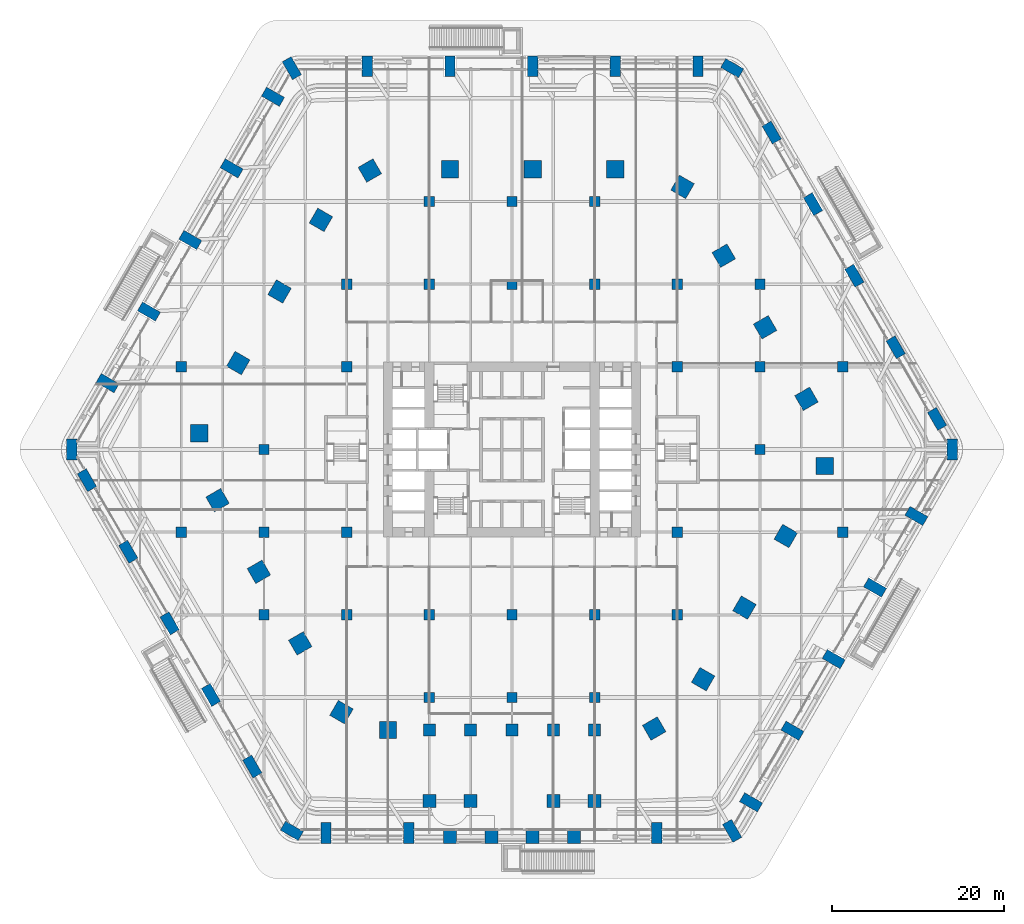
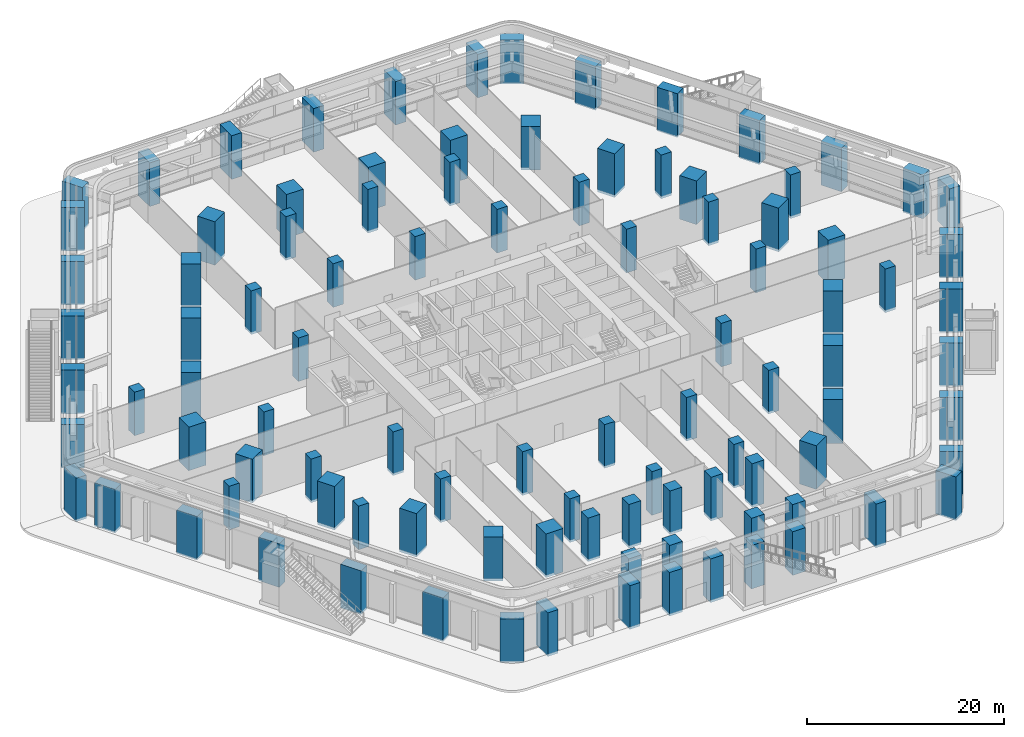
# One storey, part 1 of 34: 99 columns.
"""IFC4 building model written with IfcOpenShell, lengths in metres."""

from ifc_helpers import new_model, si_unit, direction, frame, origin, origin_2d, place, context, subcontext, project, spatial, rectangle, extrude, material, material_profile, profile_set, type_object, element, save


model = new_model("IFC4")

# Units and contexts
model_context = context("Model", 3, precision=1e-05, world=origin(), true_north=direction((0.0, 1.0)))
body_context = subcontext(model_context, "Body", "Model", "MODEL_VIEW")
ifc_project = project(units=[si_unit("LENGTHUNIT", "METRE"), si_unit("AREAUNIT", "SQUARE_METRE"), si_unit("VOLUMEUNIT", "CUBIC_METRE"), si_unit("PLANEANGLEUNIT", "RADIAN"), si_unit("MASSUNIT", "GRAM", prefix="KILO")], contexts=[model_context])

# Site, building, storey
site_placement = place(None, origin())
site = spatial("IfcSite", under=ifc_project, at=site_placement, CompositionType="ELEMENT")
building_placement = place(site_placement, origin())
building = spatial("IfcBuilding", under=site, at=building_placement, Name="Kolab Exchange Tower", CompositionType="ELEMENT")
storey_placement = place(building_placement, frame((0.0, 0.0, 7.0)))
storey = spatial("IfcBuildingStorey", under=building, at=storey_placement, Name="L01", CompositionType="ELEMENT", Elevation=7.0)

# Columns
ifc_material = material(Name="Concrete C80/95", Category="concrete")
ifc_material_profile_1 = material_profile(ifc_material, rectangle(XDim=1.199951171875, YDim=1.199951171875, at=origin_2d()), Name="RC1200")
ifc_profile_set_1 = profile_set([ifc_material_profile_1], Name="Concrete C80/95")
column_type_1 = type_object("IfcColumnType", Name="INTERIOR COLUMN 1200 SQ C80/95", PredefinedType="COLUMN", material=ifc_profile_set_1)
for number, where, z_axis, x_axis, name in (
    (1, (-38.39990234375, -9.60009765625, -0.300048828125), (0.0, 0.0, 1.0), (1.0, 0.0, 0.0), "col/L01/I-E9"),
    (2, (-38.39990234375, 9.60009765625, -0.300048828125), (0.0, 0.0, 1.0), (1.0, 0.0, 0.0), "col/L01/I-E13"),
    (3, (-28.800048828125, -19.199951171875, -0.300048828125), (0.0, 0.0, 1.0), (1.0, 0.0, 0.0), "col/L01/I-G7"),
    (4, (-28.800048828125, -9.60009765625, -0.300048828125), (0.0, 0.0, 1.0), (1.0, 0.0, 0.0), "col/L01/I-G9"),
    (5, (-28.800048828125, 0.0, -0.300048828125), (0.0, 0.0, 1.0), (1.0, 0.0, 0.0), "col/L01/I-G11"),
    (6, (-19.199951171875, -19.199951171875, -0.300048828125), (0.0, 0.0, 1.0), (1.0, 0.0, 0.0), "col/L01/I-I7"),
    (7, (-19.199951171875, -9.60009765625, -0.300048828125), (0.0, 0.0, 1.0), (1.0, 0.0, 0.0), "col/L01/I-I9"),
    (8, (-19.199951171875, 9.60009765625, -0.300048828125), (0.0, 0.0, 1.0), (1.0, 0.0, 0.0), "col/L01/I-I13"),
    (9, (-19.199951171875, 19.199951171875, -0.300048828125), (0.0, 0.0, 1.0), (1.0, 0.0, 0.0), "col/L01/I-I15"),
    (10, (-9.60009765625, -28.800048828125, -0.300048828125), (0.0, 0.0, 1.0), (1.0, 0.0, 0.0), "col/L01/I-K5"),
    (11, (-9.60009765625, -19.199951171875, -0.300048828125), (0.0, 0.0, 1.0), (1.0, 0.0, 0.0), "col/L01/I-K7"),
    (12, (-9.60009765625, 19.199951171875, -0.300048828125), (0.0, 0.0, 1.0), (1.0, 0.0, 0.0), "col/L01/I-K15"),
    (13, (-9.60009765625, 28.800048828125, -0.300048828125), (0.0, 0.0, 1.0), (1.0, 0.0, 0.0), "col/L01/I-K17"),
    (14, (0.0, -28.800048828125, -0.300048828125), (0.0, 0.0, 1.0), (1.0, 0.0, 0.0), "col/L01/I-M5"),
    (15, (0.0, -19.199951171875, -0.300048828125), (0.0, 0.0, 1.0), (1.0, 0.0, 0.0), "col/L01/I-M7"),
    (16, (0.0, 19.199951171875, -0.300048828125), (0.0, 0.0, 1.0), (1.0, 0.0, 0.0), "col/L01/I-M15"),
    (17, (0.0, 28.800048828125, -0.300048828125), (0.0, 0.0, 1.0), (1.0, 0.0, 0.0), "col/L01/I-M17"),
    (18, (9.60009765625, -28.800048828125, -0.300048828125), (0.0, 0.0, 1.0), (1.0, 0.0, 0.0), "col/L01/I-O5"),
    (19, (9.60009765625, -19.199951171875, -0.300048828125), (0.0, 0.0, 1.0), (1.0, 0.0, 0.0), "col/L01/I-O7"),
    (20, (9.60009765625, 19.199951171875, -0.300048828125), (0.0, 0.0, 1.0), (1.0, 0.0, 0.0), "col/L01/I-O15"),
    (21, (9.60009765625, 28.800048828125, -0.300048828125), (0.0, 0.0, 1.0), (1.0, 0.0, 0.0), "col/L01/I-O17"),
    (22, (19.199951171875, -19.199951171875, -0.300048828125), (0.0, 0.0, 1.0), (1.0, 0.0, 0.0), "col/L01/I-Q7"),
    (23, (19.199951171875, -9.60009765625, -0.300048828125), (0.0, 0.0, 1.0), (1.0, 0.0, 0.0), "col/L01/I-Q9"),
    (24, (19.199951171875, 9.60009765625, -0.300048828125), (0.0, 0.0, 1.0), (1.0, 0.0, 0.0), "col/L01/I-Q13"),
    (25, (19.199951171875, 19.199951171875, -0.300048828125), (0.0, 0.0, 1.0), (1.0, 0.0, 0.0), "col/L01/I-Q15"),
    (26, (28.800048828125, 0.0, -0.300048828125), (0.0, 0.0, 1.0), (1.0, 0.0, 0.0), "col/L01/I-S11"),
    (27, (28.800048828125, 9.60009765625, -0.300048828125), (0.0, 0.0, 1.0), (1.0, 0.0, 0.0), "col/L01/I-S13"),
    (28, (28.800048828125, 19.199951171875, -0.300048828125), (0.0, 0.0, 1.0), (1.0, 0.0, 0.0), "col/L01/I-S15"),
    (29, (38.39990234375, -9.60009765625, -0.300048828125), (0.0, 0.0, 1.0), (1.0, 0.0, 0.0), "col/L01/I-U9"),
    (30, (38.39990234375, 9.60009765625, -0.300048828125), (0.0, 0.0, 1.0), (1.0, 0.0, 0.0), "col/L01/I-U13"),
):
    element("IfcColumn", number, at=place(storey_placement, frame(where, z_axis=z_axis, x_axis=x_axis)), inside=storey, type_object=column_type_1, Name=name, PredefinedType="COLUMN", context=body_context, shape_type="SweptSolid", body=[
        extrude(rectangle(XDim=1.199951171875, YDim=1.199951171875, at=origin_2d()), origin(), (0.0, 0.0, 1.0), 5.400146484375),
    ])
ifc_material_profile_2 = material_profile(ifc_material, rectangle(XDim=1.199951171875, YDim=2.39990234375, at=origin_2d()), Name="RC1200X2400")
ifc_profile_set_2 = profile_set([ifc_material_profile_2], Name="Concrete C80/95")
column_type_2 = type_object("IfcColumnType", Name="PERIMETER COLUMN 1200X2400 C80/95", PredefinedType="COLUMN", material=ifc_profile_set_2)
for number, where, z_axis, x_axis, name in (
    (31, (-25.56787109375, 44.284912109375, -0.300048828125), (0.0, 0.0, 1.0), (0.866025403784, 0.5, 0.0), "col/L01/F1-01"),
    (32, (-16.800048828125, 44.526123046875, -0.300048828125), (0.0, 0.0, 1.0), (1.0, 0.0, 0.0), "col/L01/F1-03"),
    (33, (-7.199951171875, 44.526123046875, -0.300048828125), (0.0, 0.0, 1.0), (1.0, 0.0, 0.0), "col/L01/F1-05"),
    (34, (2.39990234375, 44.526123046875, -0.300048828125), (0.0, 0.0, 1.0), (1.0, 0.0, 0.0), "col/L01/F1-07"),
    (35, (12.0, 44.526123046875, -0.300048828125), (0.0, 0.0, 1.0), (1.0, 0.0, 0.0), "col/L01/F1-09"),
    (36, (21.60009765625, 44.526123046875, -0.300048828125), (0.0, 0.0, 1.0), (1.0, 0.0, 0.0), "col/L01/F1-11"),
    (37, (25.56787109375, 44.284912109375, -0.300048828125), (0.0, 0.0, 1.0), (0.5, 0.866025403784, 0.0), "col/L01/F2-01"),
    (38, (30.160888671875, 36.812255859375, -0.300048828125), (0.0, 0.0, 1.0), (0.866025403784, 0.5, 0.0), "col/L01/F2-03"),
    (39, (34.960693359375, 28.49853515625, -0.300048828125), (0.0, 0.0, 1.0), (0.866025403784, 0.5, 0.0), "col/L01/F2-05"),
    (40, (39.7607421875, 20.1845703125, -0.300048828125), (0.0, 0.0, 1.0), (0.866025403784, 0.5, 0.0), "col/L01/F2-07"),
    (41, (44.560791015625, 11.870849609375, -0.300048828125), (0.0, 0.0, 1.0), (0.866025403784, 0.5, 0.0), "col/L01/F2-09"),
    (42, (49.36083984375, 3.556884765625, -0.300048828125), (0.0, 0.0, 1.0), (0.866025403784, 0.5, 0.0), "col/L01/F2-11"),
    (43, (51.135986328125, 0.0, -0.300048828125), (0.0, 0.0, 1.0), (1.0, 0.0, 0.0), "col/L01/F3-01"),
    (44, (46.960693359375, -7.7138671875, -0.300048828125), (0.0, 0.0, 1.0), (0.5, 0.866025403784, 0.0), "col/L01/F3-03"),
    (45, (42.160888671875, -16.027587890625, -0.300048828125), (0.0, 0.0, 1.0), (0.5, 0.866025403784, 0.0), "col/L01/F3-05"),
    (46, (37.36083984375, -24.341552734375, -0.300048828125), (0.0, 0.0, 1.0), (0.5, 0.866025403784, 0.0), "col/L01/F3-07"),
    (47, (32.560791015625, -32.6552734375, -0.300048828125), (0.0, 0.0, 1.0), (0.5, 0.866025403784, 0.0), "col/L01/F3-09"),
    (48, (27.7607421875, -40.96923828125, -0.300048828125), (0.0, 0.0, 1.0), (0.5, 0.866025403784, 0.0), "col/L01/F3-11"),
    (49, (25.56787109375, -44.284912109375, -0.300048828125), (0.0, 0.0, 1.0), (0.866025403784, 0.5, 0.0), "col/L01/F4-01"),
    (50, (16.800048828125, -44.526123046875, -0.300048828125), (0.0, 0.0, 1.0), (1.0, 0.0, 0.0), "col/L01/F4-03"),
    (51, (-12.0, -44.526123046875, -0.300048828125), (0.0, 0.0, 1.0), (1.0, 0.0, 0.0), "col/L01/F4-09"),
    (52, (-21.60009765625, -44.526123046875, -0.300048828125), (0.0, 0.0, 1.0), (1.0, 0.0, 0.0), "col/L01/F4-11"),
    (53, (-25.56787109375, -44.284912109375, -0.300048828125), (0.0, 0.0, 1.0), (0.5, 0.866025403784, 0.0), "col/L01/F5-01"),
    (54, (-30.160888671875, -36.812255859375, -0.300048828125), (0.0, 0.0, 1.0), (0.866025403784, 0.5, 0.0), "col/L01/F5-03"),
    (55, (-34.960693359375, -28.49853515625, -0.300048828125), (0.0, 0.0, 1.0), (0.866025403784, 0.5, 0.0), "col/L01/F5-05"),
    (56, (-39.7607421875, -20.1845703125, -0.300048828125), (0.0, 0.0, 1.0), (0.866025403784, 0.5, 0.0), "col/L01/F5-07"),
    (57, (-44.560791015625, -11.870849609375, -0.300048828125), (0.0, 0.0, 1.0), (0.866025403784, 0.5, 0.0), "col/L01/F5-09"),
    (58, (-49.36083984375, -3.556884765625, -0.300048828125), (0.0, 0.0, 1.0), (0.866025403784, 0.5, 0.0), "col/L01/F5-11"),
    (59, (-51.135986328125, 0.0, -0.300048828125), (0.0, 0.0, 1.0), (1.0, 0.0, 0.0), "col/L01/F6-01"),
    (60, (-46.960693359375, 7.7138671875, -0.300048828125), (0.0, 0.0, 1.0), (0.5, 0.866025403784, 0.0), "col/L01/F6-03"),
    (61, (-42.160888671875, 16.027587890625, -0.300048828125), (0.0, 0.0, 1.0), (0.5, 0.866025403784, 0.0), "col/L01/F6-05"),
    (62, (-37.36083984375, 24.341552734375, -0.300048828125), (0.0, 0.0, 1.0), (0.5, 0.866025403784, 0.0), "col/L01/F6-07"),
    (63, (-32.560791015625, 32.6552734375, -0.300048828125), (0.0, 0.0, 1.0), (0.5, 0.866025403784, 0.0), "col/L01/F6-09"),
    (64, (-27.7607421875, 40.96923828125, -0.300048828125), (0.0, 0.0, 1.0), (0.5, 0.866025403784, 0.0), "col/L01/F6-11"),
):
    element("IfcColumn", number, at=place(storey_placement, frame(where, z_axis=z_axis, x_axis=x_axis)), inside=storey, type_object=column_type_2, Name=name, PredefinedType="COLUMN", context=body_context, shape_type="SweptSolid", body=[
        extrude(rectangle(XDim=1.199951171875, YDim=2.39990234375, at=origin_2d()), origin(), (0.0, 0.0, 1.0), 5.400146484375),
    ])
ifc_material_profile_3 = material_profile(ifc_material, rectangle(XDim=1.39990234375, YDim=1.39990234375, at=origin_2d()), Name="RC1400")
ifc_profile_set_3 = profile_set([ifc_material_profile_3], Name="Concrete C80/95")
column_type_3 = type_object("IfcColumnType", Name="PERIMETER COLUMN 1400 SQ C80/95", PredefinedType="COLUMN", material=ifc_profile_set_3)
for number, where, z_axis, x_axis, name in (
    (65, (9.60009765625, -32.555419921875, -0.300048828125), (0.0, 0.0, 1.0), (1.0, 0.0, 0.0), "col/L01/T-F4-03"),
    (66, (4.800048828125, -32.555419921875, -0.300048828125), (0.0, 0.0, 1.0), (1.0, 0.0, 0.0), "col/L01/T-F4-04"),
    (67, (0.0, -32.555419921875, -0.300048828125), (0.0, 0.0, 1.0), (1.0, 0.0, 0.0), "col/L01/T-F4-05"),
    (68, (-4.800048828125, -32.555419921875, -0.300048828125), (0.0, 0.0, 1.0), (1.0, 0.0, 0.0), "col/L01/T-F4-06"),
    (69, (-9.60009765625, -32.555419921875, -0.300048828125), (0.0, 0.0, 1.0), (1.0, 0.0, 0.0), "col/L01/T-F4-07"),
):
    element("IfcColumn", number, at=place(storey_placement, frame(where, z_axis=z_axis, x_axis=x_axis)), inside=storey, type_object=column_type_3, Name=name, PredefinedType="COLUMN", context=body_context, shape_type="SweptSolid", body=[
        extrude(rectangle(XDim=1.39990234375, YDim=1.39990234375, at=origin_2d()), origin(), (0.0, 0.0, 1.0), 5.400146484375),
    ])
ifc_material_profile_4 = material_profile(ifc_material, rectangle(XDim=1.5, YDim=1.5, at=origin_2d()), Name="RC1500")
ifc_profile_set_4 = profile_set([ifc_material_profile_4], Name="Concrete C80/95")
column_type_4 = type_object("IfcColumnType", Name="PERIMETER COLUMN 1500 SQ C80/95", PredefinedType="COLUMN", material=ifc_profile_set_4)
for number, where, z_axis, x_axis, name in (
    (70, (7.199951171875, -44.97607421875, -0.300048828125), (0.0, 0.0, 1.0), (1.0, 0.0, 0.0), "col/L01/F4-05"),
    (71, (2.39990234375, -44.97607421875, -0.300048828125), (0.0, 0.0, 1.0), (1.0, 0.0, 0.0), "col/L01/F4-06"),
    (72, (-2.39990234375, -44.97607421875, -0.300048828125), (0.0, 0.0, 1.0), (1.0, 0.0, 0.0), "col/L01/F4-07"),
    (73, (-7.199951171875, -44.97607421875, -0.300048828125), (0.0, 0.0, 1.0), (1.0, 0.0, 0.0), "col/L01/F4-08"),
    (74, (9.60009765625, -40.8193359375, -0.300048828125), (0.0, 0.0, 1.0), (1.0, 0.0, 0.0), "col/L01/P2-F4-04"),
    (75, (4.800048828125, -40.8193359375, -0.300048828125), (0.0, 0.0, 1.0), (1.0, 0.0, 0.0), "col/L01/P2-F4-05"),
    (76, (-4.800048828125, -40.8193359375, -0.300048828125), (0.0, 0.0, 1.0), (1.0, 0.0, 0.0), "col/L01/P2-F4-07"),
    (77, (-9.60009765625, -40.8193359375, -0.300048828125), (0.0, 0.0, 1.0), (1.0, 0.0, 0.0), "col/L01/P2-F4-08"),
):
    element("IfcColumn", number, at=place(storey_placement, frame(where, z_axis=z_axis, x_axis=x_axis)), inside=storey, type_object=column_type_4, Name=name, PredefinedType="COLUMN", context=body_context, shape_type="SweptSolid", body=[
        extrude(rectangle(XDim=1.5, YDim=1.5, at=origin_2d()), origin(), (0.0, 0.0, 1.0), 5.400146484375),
    ])
ifc_material_profile_5 = material_profile(ifc_material, rectangle(XDim=2.0, YDim=2.0, at=origin_2d()), Name="RC2000")
ifc_profile_set_5 = profile_set([ifc_material_profile_5], Name="Concrete C80/95")
column_type_5 = type_object("IfcColumnType", Name="TRANSFER-LEVEL COLUMN 2000 SQ C80/95", PredefinedType="COLUMN", material=ifc_profile_set_5)
for number, where, z_axis, x_axis, name in (
    (78, (-14.39990234375, -32.555419921875, -0.300048828125), (0.0, 0.0, 1.0), (1.0, 0.0, 0.0), "col/L01/T-F4-08"),
    (79, (-19.805908203125, -30.497802734375, -0.300048828125), (0.0, 0.0, 1.0), (0.5, 0.866025403784, 0.0), "col/L01/T-F5-01"),
    (80, (-24.59375, -22.51318359375, -0.300048828125), (0.0, 0.0, 1.0), (0.866025403784, 0.5, 0.0), "col/L01/T-F5-03"),
    (81, (-29.393798828125, -14.19921875, -0.300048828125), (0.0, 0.0, 1.0), (0.866025403784, 0.5, 0.0), "col/L01/T-F5-05"),
    (82, (-34.19384765625, -5.885498046875, -0.300048828125), (0.0, 0.0, 1.0), (0.866025403784, 0.5, 0.0), "col/L01/T-F5-07"),
    (83, (-36.31494140625, 1.903564453125, -0.300048828125), (0.0, 0.0, 1.0), (1.0, 0.0, 0.0), "col/L01/T-F6-01"),
    (84, (-31.793701171875, 10.042236328125, -0.300048828125), (0.0, 0.0, 1.0), (0.5, 0.866025403784, 0.0), "col/L01/T-F6-03"),
    (85, (-26.993896484375, 18.356201171875, -0.300048828125), (0.0, 0.0, 1.0), (0.5, 0.866025403784, 0.0), "col/L01/T-F6-05"),
    (86, (-22.19384765625, 26.669921875, -0.300048828125), (0.0, 0.0, 1.0), (0.5, 0.866025403784, 0.0), "col/L01/T-F6-07"),
    (87, (-16.509033203125, 32.4013671875, -0.300048828125), (0.0, 0.0, 1.0), (0.866025403784, 0.5, 0.0), "col/L01/T-F1-01"),
    (88, (-7.199951171875, 32.555419921875, -0.300048828125), (0.0, 0.0, 1.0), (1.0, 0.0, 0.0), "col/L01/T-F1-03"),
    (89, (2.39990234375, 32.555419921875, -0.300048828125), (0.0, 0.0, 1.0), (1.0, 0.0, 0.0), "col/L01/T-F1-05"),
    (90, (12.0, 32.555419921875, -0.300048828125), (0.0, 0.0, 1.0), (1.0, 0.0, 0.0), "col/L01/T-F1-07"),
    (91, (19.805908203125, 30.497802734375, -0.300048828125), (0.0, 0.0, 1.0), (0.5, 0.866025403784, 0.0), "col/L01/T-F2-01"),
    (92, (24.59375, 22.51318359375, -0.300048828125), (0.0, 0.0, 1.0), (0.866025403784, 0.5, 0.0), "col/L01/T-F2-03"),
    (93, (29.393798828125, 14.19921875, -0.300048828125), (0.0, 0.0, 1.0), (0.866025403784, 0.5, 0.0), "col/L01/T-F2-05"),
    (94, (34.19384765625, 5.885498046875, -0.300048828125), (0.0, 0.0, 1.0), (0.866025403784, 0.5, 0.0), "col/L01/T-F2-07"),
    (95, (36.31494140625, -1.903564453125, -0.300048828125), (0.0, 0.0, 1.0), (1.0, 0.0, 0.0), "col/L01/T-F3-01"),
    (96, (31.793701171875, -10.042236328125, -0.300048828125), (0.0, 0.0, 1.0), (0.5, 0.866025403784, 0.0), "col/L01/T-F3-03"),
    (97, (26.993896484375, -18.356201171875, -0.300048828125), (0.0, 0.0, 1.0), (0.5, 0.866025403784, 0.0), "col/L01/T-F3-05"),
    (98, (22.19384765625, -26.669921875, -0.300048828125), (0.0, 0.0, 1.0), (0.5, 0.866025403784, 0.0), "col/L01/T-F3-07"),
    (99, (16.509033203125, -32.4013671875, -0.300048828125), (0.0, 0.0, 1.0), (0.866025403784, 0.5, 0.0), "col/L01/T-F4-01"),
):
    element("IfcColumn", number, at=place(storey_placement, frame(where, z_axis=z_axis, x_axis=x_axis)), inside=storey, type_object=column_type_5, Name=name, PredefinedType="COLUMN", context=body_context, shape_type="SweptSolid", body=[
        extrude(rectangle(XDim=2.0, YDim=2.0, at=origin_2d()), origin(), (0.0, 0.0, 1.0), 5.400146484375),
    ])

save(model, "model.ifc")
